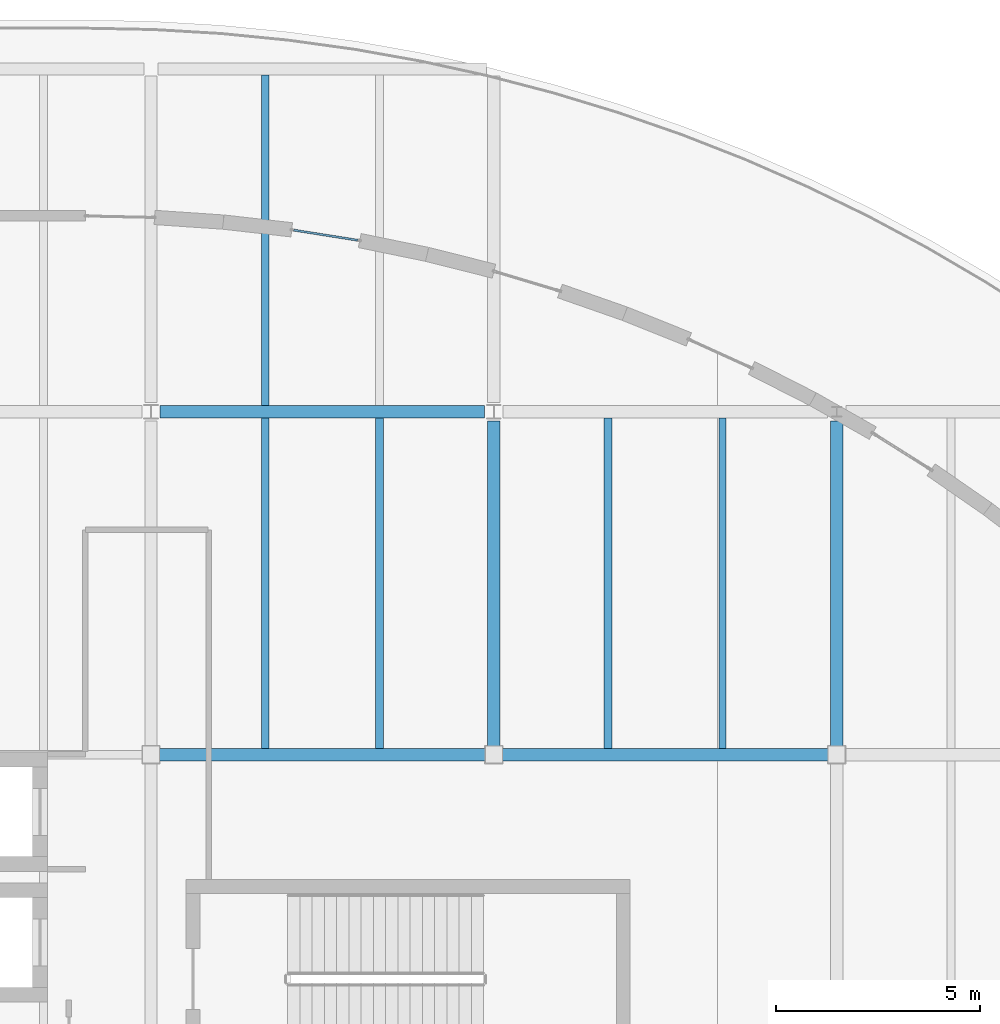
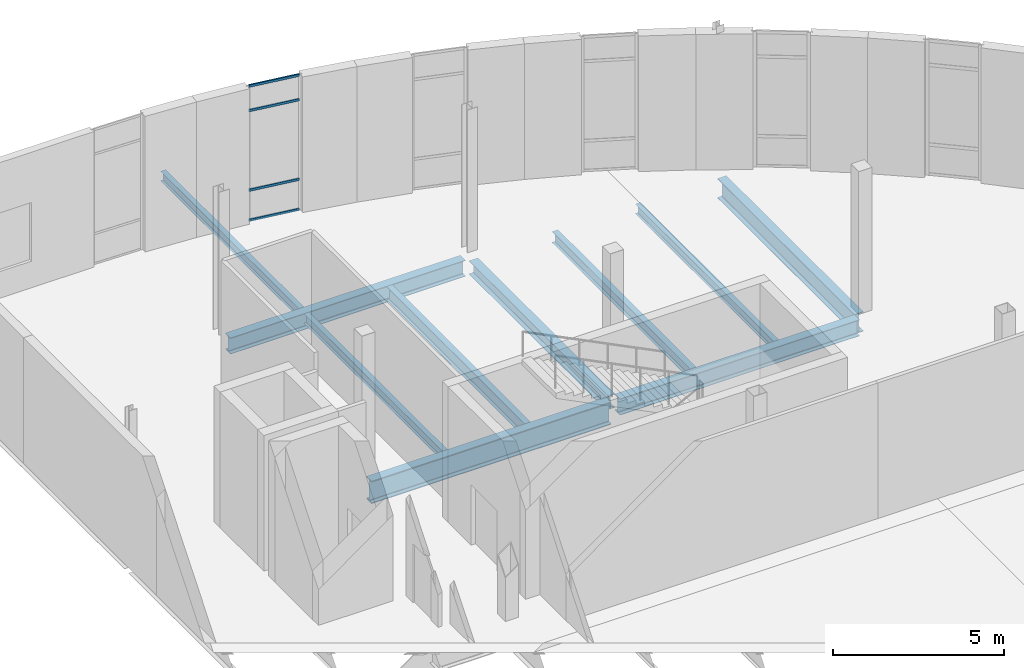
# One storey, part 19 of 57: 10 beams, 4 members, 1 element without a shape of its own.
"""IFC4 building model written with IfcOpenShell, lengths in metres."""

from ifc_helpers import new_model, si_unit, direction, frame, origin, origin_2d, place, context, subcontext, project, spatial, hollow_rectangle, i_section, extrude, material, layer, layer_set, material_profile, profile_set, type_object, element, aggregate, save


model = new_model("IFC4")

# Units and contexts
model_context = context("Model", 3, precision=1e-05, world=origin(), true_north=direction((0.0, 1.0)))
body_context = subcontext(model_context, "Body", "Model", "MODEL_VIEW")
ifc_project = project(units=[si_unit("LENGTHUNIT", "METRE"), si_unit("AREAUNIT", "SQUARE_METRE"), si_unit("VOLUMEUNIT", "CUBIC_METRE"), si_unit("PLANEANGLEUNIT", "RADIAN"), si_unit("MASSUNIT", "GRAM", prefix="KILO"), si_unit("THERMODYNAMICTEMPERATUREUNIT", "KELVIN")], contexts=[model_context])

# Site, building, storey
site_placement = place(None, origin())
site = spatial("IfcSite", under=ifc_project, at=site_placement, CompositionType="ELEMENT")
building_placement = place(site_placement, origin())
building = spatial("IfcBuilding", under=site, at=building_placement, Name="Lustrewick Department Store", CompositionType="ELEMENT")
storey_placement = place(building_placement, frame((0.0, 0.0, 26.699951171875)))
storey = spatial("IfcBuildingStorey", under=building, at=storey_placement, Name="L06", CompositionType="ELEMENT", Elevation=26.699951171875)

# Beams
ifc_material_1 = material(Name="Structural steel Q355B", Category="steel")
ifc_material_profile_1 = material_profile(ifc_material_1, i_section(OverallWidth=0.199951171875, OverallDepth=0.5, WebThickness=0.010009765625, FlangeThickness=0.01611328125, FilletRadius=0.01611328125, at=origin_2d()), Name="HN 500x200x10x16")
ifc_profile_set_1 = profile_set([ifc_material_profile_1], Name="Structural steel Q355B")
beam_type_1 = type_object("IfcBeamType", Name="B01", PredefinedType="JOIST", material=ifc_profile_set_1)
beam_1_placement = place(storey_placement, frame((123.199951171875, 84.15087890625, -0.5048828125), z_axis=(0.0, 1.0, 0.0), x_axis=(-1.0, 0.0, 0.0)))
element("IfcBeam", 1, at=beam_1_placement, inside=storey, type_object=beam_type_1, Name="L06 V4 Secondary Joist B01", PredefinedType="JOIST", context=body_context, shape_type="SweptSolid", body=[
    extrude(i_section(OverallWidth=0.199951171875, OverallDepth=0.5, WebThickness=0.010009765625, FlangeThickness=0.01611328125, FilletRadius=0.01611328125, at=origin_2d()), origin(), (0.0, 0.0, 1.0), 8.09912109375),
])
ifc_material_profile_2 = material_profile(ifc_material_1, i_section(OverallWidth=0.198974609375, OverallDepth=0.39599609375, WebThickness=0.007080078125, FlangeThickness=0.010986328125, FilletRadius=0.013916015625, at=origin_2d()), Name="HN 396x199x7x11")
ifc_profile_set_2 = profile_set([ifc_material_profile_2], Name="Structural steel Q355B")
beam_type_2 = type_object("IfcBeamType", Name="B06", PredefinedType="JOIST", material=ifc_profile_set_2)
beam_2_placement = place(storey_placement, frame((128.800048828125, 84.14990234375, -0.452880859375), z_axis=(0.0, 1.0, 0.0), x_axis=(-1.0, 0.0, 0.0)))
element("IfcBeam", 2, at=beam_2_placement, inside=storey, type_object=beam_type_2, Name="L06 V4 Secondary Joist B06", PredefinedType="JOIST", context=body_context, shape_type="SweptSolid", body=[
    extrude(i_section(OverallWidth=0.198974609375, OverallDepth=0.39599609375, WebThickness=0.007080078125, FlangeThickness=0.010986328125, FilletRadius=0.013916015625, at=origin_2d()), origin(), (0.0, 0.0, 1.0), 8.1005859375),
])
ifc_material_profile_3 = material_profile(ifc_material_1, i_section(OverallWidth=0.174072265625, OverallDepth=0.345947265625, WebThickness=0.006103515625, FlangeThickness=0.009033203125, FilletRadius=0.012939453125, at=origin_2d()), Name="HN 346x174x6x9")
ifc_profile_set_3 = profile_set([ifc_material_profile_3], Name="Structural steel Q355B")
beam_type_3 = type_object("IfcBeamType", Name="B10", PredefinedType="JOIST", material=ifc_profile_set_3)
beam_3_placement = place(storey_placement, frame((120.39990234375, 84.15087890625, -0.427978515625), z_axis=(0.0, 1.0, 0.0), x_axis=(-1.0, 0.0, 0.0)))
element("IfcBeam", 3, at=beam_3_placement, inside=storey, type_object=beam_type_3, Name="L06 V4 Secondary Joist B10", PredefinedType="JOIST", context=body_context, shape_type="SweptSolid", body=[
    extrude(i_section(OverallWidth=0.174072265625, OverallDepth=0.345947265625, WebThickness=0.006103515625, FlangeThickness=0.009033203125, FilletRadius=0.012939453125, at=origin_2d()), origin(), (0.0, 0.0, 1.0), 8.09912109375),
])
beam_4_placement = place(storey_placement, frame((131.60009765625, 84.14990234375, -0.427978515625), z_axis=(0.0, 1.0, 0.0), x_axis=(-1.0, 0.0, 0.0)))
element("IfcBeam", 4, at=beam_4_placement, inside=storey, type_object=beam_type_3, Name="L06 V4 Secondary Joist B10", PredefinedType="JOIST", context=body_context, shape_type="SweptSolid", body=[
    extrude(i_section(OverallWidth=0.174072265625, OverallDepth=0.345947265625, WebThickness=0.006103515625, FlangeThickness=0.009033203125, FilletRadius=0.012939453125, at=origin_2d()), origin(), (0.0, 0.0, 1.0), 8.1005859375),
])
beam_5_placement = place(storey_placement, frame((120.39990234375, 92.550048828125, -0.427978515625), z_axis=(0.0, 1.0, 0.0), x_axis=(-1.0, 0.0, 0.0)))
element("IfcBeam", 5, at=beam_5_placement, inside=storey, type_object=beam_type_3, Name="L06 V4 Secondary Joist B10", PredefinedType="JOIST", context=body_context, shape_type="SweptSolid", body=[
    extrude(i_section(OverallWidth=0.174072265625, OverallDepth=0.345947265625, WebThickness=0.006103515625, FlangeThickness=0.009033203125, FilletRadius=0.012939453125, at=origin_2d()), origin(), (0.0, 0.0, 1.0), 8.099853515625),
])

# Curtain wall, members
ifc_material_2 = material(Name="Thermally broken aluminium 6063-T5", Category="aluminium")
ifc_layer = layer(ifc_material_2, 0.1201171875, Name="Thermally broken aluminium 6063-T5")
ifc_layer_set = layer_set([ifc_layer], Name="Thermally broken aluminium 6063-T5")
curtain_wall_type = type_object("IfcCurtainWallType", Name="CW08", PredefinedType="NOTDEFINED", material=ifc_layer_set)
curtain_wall_placement = place(storey_placement, origin())
curtain_wall = element("IfcCurtainWall", 6, at=curtain_wall_placement, inside=storey, type_object=curtain_wall_type, Name="L06 V4 Curtain Wall CW08", PredefinedType="NOTDEFINED")
ifc_material_profile_4 = material_profile(ifc_material_2, hollow_rectangle(XDim=0.050048828125, YDim=0.0849609375, WallThickness=0.0029296875, at=origin_2d()), Name="ALU-T 50x85x3")
ifc_profile_set_4 = profile_set([ifc_material_profile_4], Name="Thermally broken aluminium 6063-T5")
member_type = type_object("IfcMemberType", Name="CW08-T1", PredefinedType="USERDEFINED", material=ifc_profile_set_4)
member_1_placement = place(storey_placement, frame((122.664306640625, 96.603515625, 0.025146484375), z_axis=(-0.987688019536, 0.156436492115, 0.0), x_axis=(-0.156436492115, -0.987688019536, 0.0)))
member_1 = element("IfcMember", 7, at=member_1_placement, type_object=member_type, Name="CW08 transom 1.1", ObjectType="TRANSOM", PredefinedType="USERDEFINED", context=body_context, shape_type="SweptSolid", body=[
    extrude(hollow_rectangle(XDim=0.050048828125, YDim=0.0849609375, WallThickness=0.0029296875, at=origin_2d()), origin(), (0.0, 0.0, 1.0), 1.587158203125),
])
member_2_placement = place(storey_placement, frame((122.664306640625, 96.603515625, 1.10009765625), z_axis=(-0.987688019536, 0.156436492115, 0.0), x_axis=(-0.156436492115, -0.987688019536, 0.0)))
member_2 = element("IfcMember", 8, at=member_2_placement, type_object=member_type, Name="CW08 transom 1.2", ObjectType="TRANSOM", PredefinedType="USERDEFINED", context=body_context, shape_type="SweptSolid", body=[
    extrude(hollow_rectangle(XDim=0.050048828125, YDim=0.0849609375, WallThickness=0.0029296875, at=origin_2d()), origin(), (0.0, 0.0, 1.0), 1.587158203125),
])
member_3_placement = place(storey_placement, frame((122.664306640625, 96.603515625, 3.945068359375), z_axis=(-0.987688019536, 0.156436492115, 0.0), x_axis=(-0.156436492115, -0.987688019536, 0.0)))
member_3 = element("IfcMember", 9, at=member_3_placement, type_object=member_type, Name="CW08 transom 1.3", ObjectType="TRANSOM", PredefinedType="USERDEFINED", context=body_context, shape_type="SweptSolid", body=[
    extrude(hollow_rectangle(XDim=0.050048828125, YDim=0.0849609375, WallThickness=0.0029296875, at=origin_2d()), origin(), (0.0, 0.0, 1.0), 1.587158203125),
])
member_4_placement = place(storey_placement, frame((122.664306640625, 96.603515625, 4.820068359375), z_axis=(-0.987688019536, 0.156436492115, 0.0), x_axis=(-0.156436492115, -0.987688019536, 0.0)))
member_4 = element("IfcMember", 10, at=member_4_placement, type_object=member_type, Name="CW08 transom 1.4", ObjectType="TRANSOM", PredefinedType="USERDEFINED", context=body_context, shape_type="SweptSolid", body=[
    extrude(hollow_rectangle(XDim=0.050048828125, YDim=0.0849609375, WallThickness=0.0029296875, at=origin_2d()), origin(), (0.0, 0.0, 1.0), 1.587158203125),
])
aggregate(curtain_wall, [member_1, member_2, member_3, member_4])

# Beams
ifc_material_3 = material(Name="Structural steel Q355C", Category="steel")
ifc_material_profile_5 = material_profile(ifc_material_3, i_section(OverallWidth=0.302001953125, OverallDepth=0.80810546875, WebThickness=0.01611328125, FlangeThickness=0.030029296875, FilletRadius=0.02197265625, at=origin_2d()), Name="HN 808x302x16x30")
ifc_profile_set_5 = profile_set([ifc_material_profile_5], Name="Structural steel Q355C")
beam_type_4 = type_object("IfcBeamType", Name="G04", PredefinedType="BEAM", material=ifc_profile_set_5)
beam_6_placement = place(storey_placement, frame((117.75, 84.0, -0.658935546875), z_axis=(1.0, 0.0, 0.0), x_axis=(0.0, 1.0, 0.0)))
element("IfcBeam", 11, at=beam_6_placement, inside=storey, type_object=beam_type_4, Name="L06 V4 Girder G04", PredefinedType="BEAM", context=body_context, shape_type="SweptSolid", body=[
    extrude(i_section(OverallWidth=0.302001953125, OverallDepth=0.80810546875, WebThickness=0.01611328125, FlangeThickness=0.030029296875, FilletRadius=0.02197265625, at=origin_2d()), origin(), (0.0, 0.0, 1.0), 8.10009765625),
])
ifc_material_profile_6 = material_profile(ifc_material_1, i_section(OverallWidth=0.300048828125, OverallDepth=0.699951171875, WebThickness=0.012939453125, FlangeThickness=0.02392578125, FilletRadius=0.02001953125, at=origin_2d()), Name="HN 700x300x13x24")
ifc_profile_set_6 = profile_set([ifc_material_profile_6], Name="Structural steel Q355B")
beam_type_5 = type_object("IfcBeamType", Name="G08", PredefinedType="BEAM", material=ifc_profile_set_6)
beam_7_placement = place(storey_placement, frame((134.39990234375, 84.14990234375, -0.60498046875), z_axis=(0.0, 1.0, 0.0), x_axis=(-1.0, 0.0, 0.0)))
element("IfcBeam", 12, at=beam_7_placement, inside=storey, type_object=beam_type_5, Name="L06 V4 Girder G08", PredefinedType="BEAM", context=body_context, shape_type="SweptSolid", body=[
    extrude(i_section(OverallWidth=0.300048828125, OverallDepth=0.699951171875, WebThickness=0.012939453125, FlangeThickness=0.02392578125, FilletRadius=0.02001953125, at=origin_2d()), origin(), (0.0, 0.0, 1.0), 8.025146484375),
])
ifc_material_profile_7 = material_profile(ifc_material_1, i_section(OverallWidth=0.300048828125, OverallDepth=0.58203125, WebThickness=0.011962890625, FlangeThickness=0.01708984375, FilletRadius=0.02392578125, at=origin_2d()), Name="HM 582x300x12x17")
ifc_profile_set_7 = profile_set([ifc_material_profile_7], Name="Structural steel Q355B")
beam_type_6 = type_object("IfcBeamType", Name="G12", PredefinedType="BEAM", material=ifc_profile_set_7)
beam_8_placement = place(storey_placement, frame((126.14990234375, 84.0, -0.5458984375), z_axis=(1.0, 0.0, 0.0), x_axis=(0.0, 1.0, 0.0)))
element("IfcBeam", 13, at=beam_8_placement, inside=storey, type_object=beam_type_6, Name="L06 V4 Girder G12", PredefinedType="BEAM", context=body_context, shape_type="SweptSolid", body=[
    extrude(i_section(OverallWidth=0.300048828125, OverallDepth=0.58203125, WebThickness=0.011962890625, FlangeThickness=0.01708984375, FilletRadius=0.02392578125, at=origin_2d()), origin(), (0.0, 0.0, 1.0), 8.10009765625),
])
beam_9_placement = place(storey_placement, frame((117.824951171875, 92.39990234375, -0.5458984375), z_axis=(1.0, 0.0, 0.0), x_axis=(0.0, 1.0, 0.0)))
element("IfcBeam", 14, at=beam_9_placement, inside=storey, type_object=beam_type_6, Name="L06 V4 Girder G12", PredefinedType="BEAM", context=body_context, shape_type="SweptSolid", body=[
    extrude(i_section(OverallWidth=0.300048828125, OverallDepth=0.58203125, WebThickness=0.011962890625, FlangeThickness=0.01708984375, FilletRadius=0.02392578125, at=origin_2d()), origin(), (0.0, 0.0, 1.0), 7.949951171875),
])
ifc_material_profile_8 = material_profile(ifc_material_1, i_section(OverallWidth=0.300048828125, OverallDepth=0.48193359375, WebThickness=0.010986328125, FlangeThickness=0.014892578125, FilletRadius=0.02197265625, at=origin_2d()), Name="HM 482x300x11x15")
ifc_profile_set_8 = profile_set([ifc_material_profile_8], Name="Structural steel Q355B")
beam_type_7 = type_object("IfcBeamType", Name="G20", PredefinedType="BEAM", material=ifc_profile_set_8)
beam_10_placement = place(storey_placement, frame((126.0, 84.14990234375, -0.495849609375), z_axis=(0.0, 1.0, 0.0), x_axis=(-1.0, 0.0, 0.0)))
element("IfcBeam", 15, at=beam_10_placement, inside=storey, type_object=beam_type_7, Name="L06 V4 Girder G20", PredefinedType="BEAM", context=body_context, shape_type="SweptSolid", body=[
    extrude(i_section(OverallWidth=0.300048828125, OverallDepth=0.48193359375, WebThickness=0.010986328125, FlangeThickness=0.014892578125, FilletRadius=0.02197265625, at=origin_2d()), origin(), (0.0, 0.0, 1.0), 8.025146484375),
])

save(model, "model.ifc")
